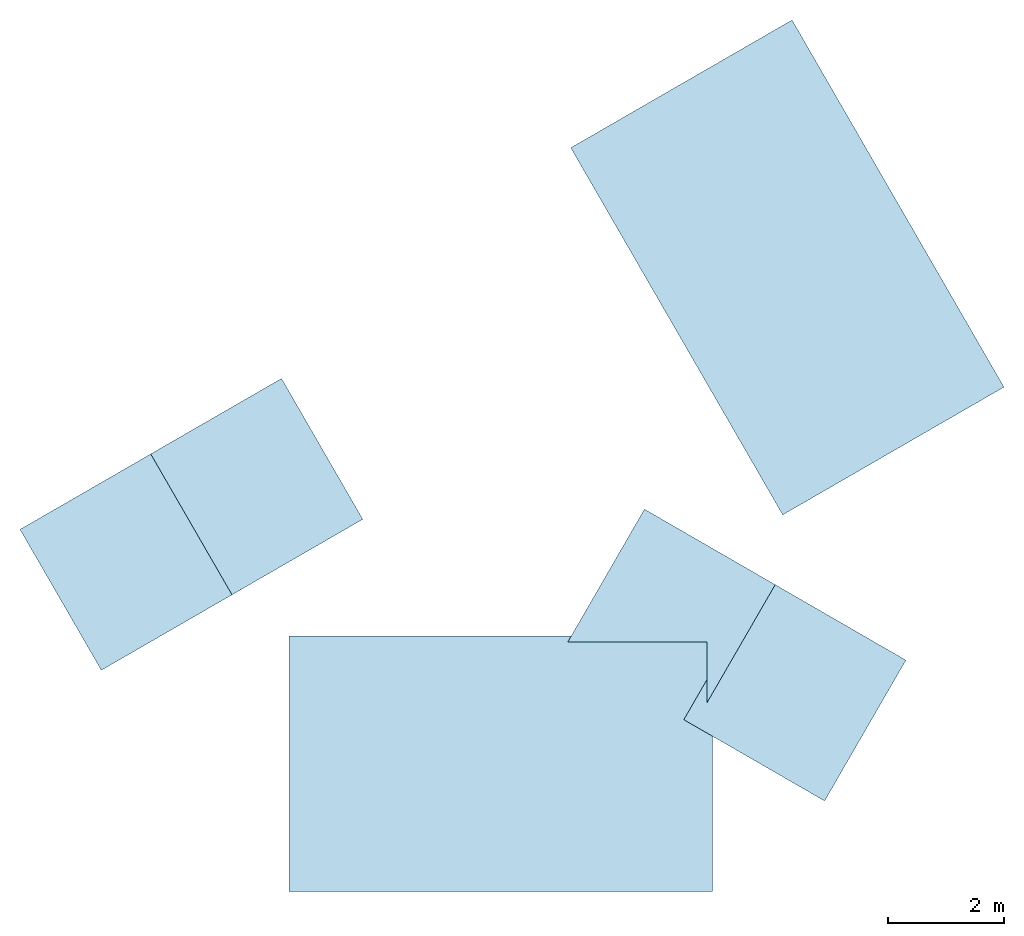
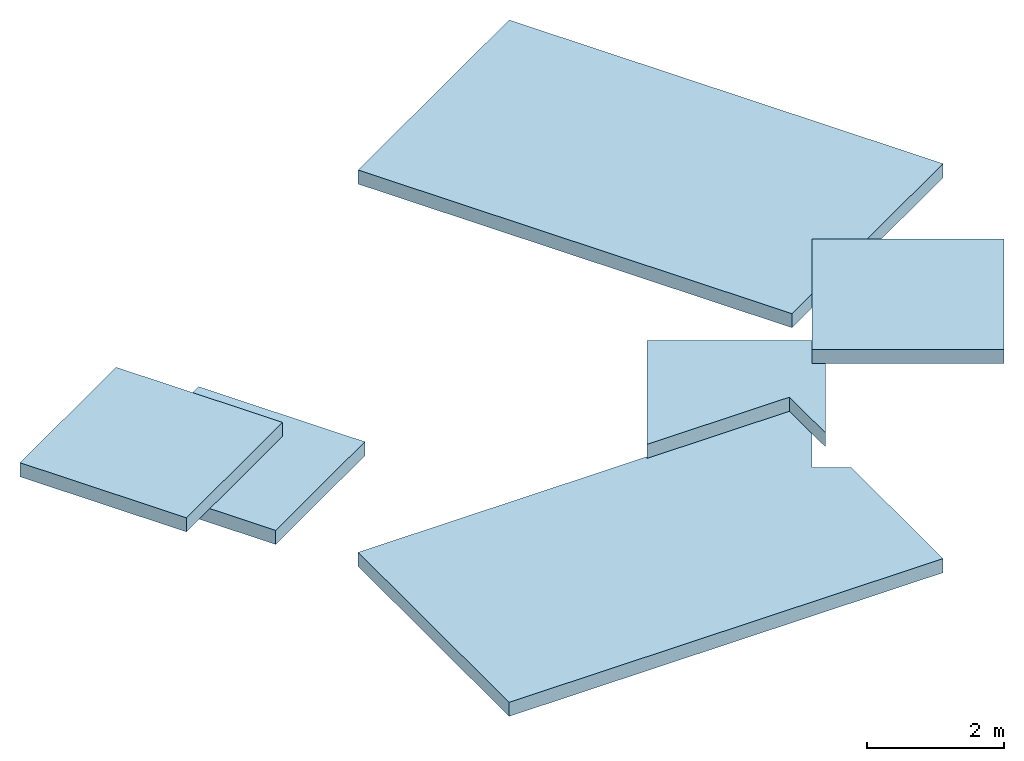
# One storey: 6 slabs.
"""IFC4 building model written with IfcOpenShell, lengths in metres."""

from ifc_helpers import new_model, si_unit, direction, frame, origin, place, context, subcontext, project, spatial, polyline, outline, extrude, material, layer, layer_set, type_object, element, save


model = new_model("IFC4")

# Units and contexts
model_context = context("Model", 3, precision=1e-05, world=origin(), true_north=direction((0.0, 1.0)))
body_context = subcontext(model_context, "Body", "Model", "MODEL_VIEW")
ifc_project = project(units=[si_unit("LENGTHUNIT", "METRE"), si_unit("AREAUNIT", "SQUARE_METRE"), si_unit("VOLUMEUNIT", "CUBIC_METRE"), si_unit("PLANEANGLEUNIT", "RADIAN"), si_unit("MASSUNIT", "GRAM", prefix="KILO")], contexts=[model_context])

# Site, building, storey
site_placement = place(None, origin())
site = spatial("IfcSite", under=ifc_project, at=site_placement, CompositionType="ELEMENT")
building_placement = place(site_placement, origin())
building = spatial("IfcBuilding", under=site, at=building_placement, Name="Entoto Arch Interchange Tower", CompositionType="ELEMENT")
storey_placement = place(building_placement, frame((0.0, 0.0, 365.89990234375)))
storey = spatial("IfcBuildingStorey", under=building, at=storey_placement, Name="Roof plant", CompositionType="ELEMENT", Elevation=365.89990234375)

# Slabs
ifc_material = material(Name="Concrete C40/50", Category="concrete")
ifc_layer_1 = layer(ifc_material, 0.25)
ifc_layer_set_1 = layer_set([ifc_layer_1], Name="Concrete C40/50")
slab_type_1 = type_object("IfcSlabType", Name="LIFT OVERRUN COVER SLAB 250 C40/50", PredefinedType="ROOF", material=ifc_layer_set_1)
slab_1_placement = place(storey_placement, frame((0.0, 0.0, 1.800048828125)))
element("IfcSlab", 1, at=slab_1_placement, inside=storey, type_object=slab_type_1, Name="Lift overrun cover FF1", PredefinedType="ROOF", context=body_context, shape_type="SweptSolid", body=[
    extrude(outline(polyline([(3.153076171875, -2.43798828125), (4.552978515625, -0.012939453125), (6.97802734375, -1.4130859375), (5.577880859375, -3.837890625), (3.153076171875, -2.43798828125)])), origin(), (0.0, 0.0, 1.0), 0.25),
])
slab_2_placement = place(storey_placement, frame((0.0, 0.0, 1.800048828125)))
element("IfcSlab", 2, at=slab_2_placement, inside=storey, type_object=slab_type_1, Name="Lift overrun cover FF2", PredefinedType="ROOF", context=body_context, shape_type="SweptSolid", body=[
    extrude(outline(polyline([(-5.85302734375, 2.238037109375), (-4.452880859375, -0.18701171875), (-6.8779296875, -1.5869140625), (-8.278076171875, 0.837890625), (-5.85302734375, 2.238037109375)])), origin(), (0.0, 0.0, 1.0), 0.25),
])
ifc_layer_2 = layer(ifc_material, 0.25)
ifc_layer_set_2 = layer_set([ifc_layer_2], Name="Concrete C40/50")
slab_type_2 = type_object("IfcSlabType", Name="ROOF HEAD-HOUSE SLAB 250 C40/50", PredefinedType="ROOF", material=ifc_layer_set_2)
slab_3_placement = place(storey_placement, frame((0.0, 0.0, -0.2998046875)))
element("IfcSlab", 3, at=slab_3_placement, inside=storey, type_object=slab_type_2, Name="Roof stair head-house roof ST-S", PredefinedType="ROOF", context=body_context, shape_type="SweptSolid", body=[
    extrude(outline(polyline([(3.64990234375, -1.577880859375), (3.153076171875, -2.43798828125), (3.64990234375, -2.72509765625), (3.64990234375, -5.39990234375), (-3.64990234375, -5.39990234375), (-3.64990234375, -1.0), (3.64990234375, -1.0), (3.64990234375, -1.577880859375)])), origin(), (0.0, 0.0, 1.0), 0.25),
])
slab_4_placement = place(storey_placement, frame((0.0, 0.0, -0.2998046875)))
element("IfcSlab", 4, at=slab_4_placement, inside=storey, type_object=slab_type_2, Name="Roof stair head-house roof ST-NE", PredefinedType="ROOF", context=body_context, shape_type="SweptSolid", body=[
    extrude(outline(polyline([(5.01708984375, 9.611083984375), (8.6669921875, 3.2890625), (4.85595703125, 1.089111328125), (1.2060546875, 7.410888671875), (5.01708984375, 9.611083984375)])), origin(), (0.0, 0.0, 1.0), 0.25),
])
ifc_layer_3 = layer(ifc_material, 0.25)
ifc_layer_set_3 = layer_set([ifc_layer_3], Name="Concrete C40/50")
slab_type_3 = type_object("IfcSlabType", Name="ROOF LIFT LOBBY ROOF 250 C40/50", PredefinedType="ROOF", material=ifc_layer_set_3)
slab_5_placement = place(storey_placement, origin())
element("IfcSlab", 5, at=slab_5_placement, inside=storey, type_object=slab_type_3, Name="Roof lift lobby roof FF1", PredefinedType="ROOF", context=body_context, shape_type="SweptSolid", body=[
    extrude(outline(polyline([(2.47509765625, 1.18701171875), (4.72705078125, -0.113037109375), (3.550048828125, -2.15087890625), (3.550048828125, -1.10009765625), (1.155029296875, -1.10009765625), (2.47509765625, 1.18701171875)])), origin(), (0.0, 0.0, 1.0), 0.25),
])
slab_6_placement = place(storey_placement, origin())
element("IfcSlab", 6, at=slab_6_placement, inside=storey, type_object=slab_type_3, Name="Roof lift lobby roof FF2", PredefinedType="ROOF", context=body_context, shape_type="SweptSolid", body=[
    extrude(outline(polyline([(-2.375, 1.012939453125), (-4.626953125, -0.287109375), (-6.027099609375, 2.137939453125), (-3.77490234375, 3.43798828125), (-2.375, 1.012939453125)])), origin(), (0.0, 0.0, 1.0), 0.25),
])

save(model, "model.ifc")
